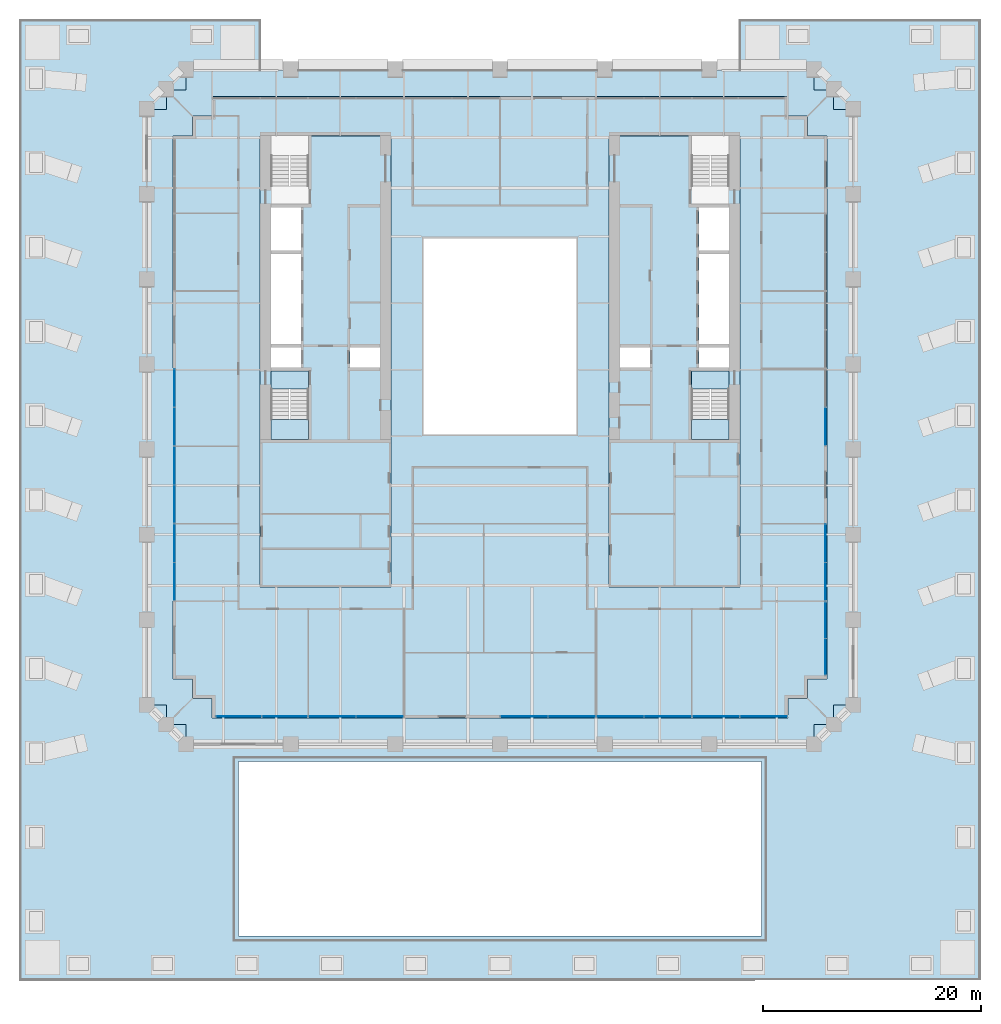
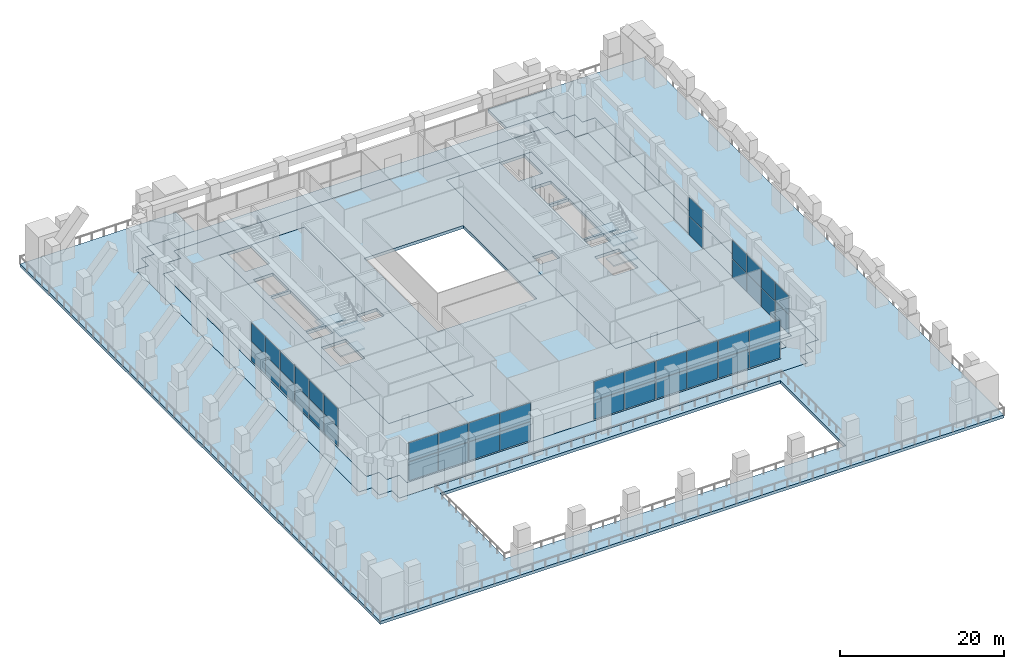
# One storey, part 10 of 20: 42 plates, 11 slabs, 13 elements without a shape of their own.
"""IFC4 building model written with IfcOpenShell, lengths in metres."""

from ifc_helpers import new_model, si_unit, direction, frame, origin, origin_2d, place, context, subcontext, project, spatial, polyline, rectangle, outline, extrude, material, layer, layer_set, type_object, element, aggregate, save


model = new_model("IFC4")

# Units and contexts
model_context = context("Model", 3, precision=1e-05, world=origin(), true_north=direction((0.0, 1.0)))
body_context = subcontext(model_context, "Body", "Model", "MODEL_VIEW")
ifc_project = project(units=[si_unit("LENGTHUNIT", "METRE"), si_unit("AREAUNIT", "SQUARE_METRE"), si_unit("VOLUMEUNIT", "CUBIC_METRE"), si_unit("PLANEANGLEUNIT", "RADIAN"), si_unit("MASSUNIT", "GRAM", prefix="KILO")], contexts=[model_context])

# Site, building, storey
site_placement = place(None, origin())
site = spatial("IfcSite", under=ifc_project, at=site_placement, CompositionType="ELEMENT")
building_placement = place(site_placement, origin())
building = spatial("IfcBuilding", under=site, at=building_placement, Name="Ogive Exchange Tower", CompositionType="ELEMENT")
storey_placement = place(building_placement, frame((0.0, 0.0, 33.60009765625)))
storey = spatial("IfcBuildingStorey", under=building, at=storey_placement, Name="L06", CompositionType="ELEMENT", Elevation=33.60009765625)

# Curtain wall, plates
ifc_material_1 = material(Name="Anodised aluminium and clear glass", Category="aluminium")
curtain_wall_type = type_object("IfcCurtainWallType", Name="Sky lobby glazing", PredefinedType="NOTDEFINED", material=ifc_material_1)
curtain_wall_1_placement = place(storey_placement, origin())
curtain_wall_1 = element("IfcCurtainWall", 1, at=curtain_wall_1_placement, inside=storey, type_object=curtain_wall_type, Name="Sky lobby glazing run G1", PredefinedType="NOTDEFINED")
ifc_material_2 = material(Name="Clear glass", Category="glass")
ifc_layer_1 = layer(ifc_material_2, 0.031982421875)
ifc_layer_set_1 = layer_set([ifc_layer_1], Name="Clear low-emissivity glass panel 32")
plate_type = type_object("IfcPlateType", Name="Clear low-emissivity glass panel 32", PredefinedType="CURTAIN_PANEL", material=ifc_layer_set_1)
plate_1_placement = place(storey_placement, frame((-23.95751953125, -27.85009765625, 0.06982421875), z_axis=(0.0, 0.0, 1.0), x_axis=(1.0, 0.0, 0.0)))
plate_1 = element("IfcPlate", 2, at=plate_1_placement, type_object=plate_type, Name="G1 panel 1.1", PredefinedType="CURTAIN_PANEL", context=body_context, shape_type="SweptSolid", body=[
    extrude(rectangle(XDim=4.14501953125, YDim=0.031982421875, at=origin_2d()), origin(), (0.0, 0.0, 1.0), 2.794921875),
])
plate_2_placement = place(storey_placement, frame((-23.95751953125, -27.85009765625, 2.93505859375), z_axis=(0.0, 0.0, 1.0), x_axis=(1.0, 0.0, 0.0)))
plate_2 = element("IfcPlate", 3, at=plate_2_placement, type_object=plate_type, Name="G1 panel 1.2", PredefinedType="CURTAIN_PANEL", context=body_context, shape_type="SweptSolid", body=[
    extrude(rectangle(XDim=4.14501953125, YDim=0.031982421875, at=origin_2d()), origin(), (0.0, 0.0, 1.0), 2.794921875),
])
plate_3_placement = place(storey_placement, frame((-19.742431640625, -27.85009765625, 0.06982421875), z_axis=(0.0, 0.0, 1.0), x_axis=(1.0, 0.0, 0.0)))
plate_3 = element("IfcPlate", 4, at=plate_3_placement, type_object=plate_type, Name="G1 panel 2.1", PredefinedType="CURTAIN_PANEL", context=body_context, shape_type="SweptSolid", body=[
    extrude(rectangle(XDim=4.14501953125, YDim=0.031982421875, at=origin_2d()), origin(), (0.0, 0.0, 1.0), 2.794921875),
])
plate_4_placement = place(storey_placement, frame((-19.742431640625, -27.85009765625, 2.93505859375), z_axis=(0.0, 0.0, 1.0), x_axis=(1.0, 0.0, 0.0)))
plate_4 = element("IfcPlate", 5, at=plate_4_placement, type_object=plate_type, Name="G1 panel 2.2", PredefinedType="CURTAIN_PANEL", context=body_context, shape_type="SweptSolid", body=[
    extrude(rectangle(XDim=4.14501953125, YDim=0.031982421875, at=origin_2d()), origin(), (0.0, 0.0, 1.0), 2.794921875),
])
aggregate(curtain_wall_1, [plate_1, plate_2, plate_3, plate_4])

curtain_wall_2_placement = place(storey_placement, origin())
curtain_wall_2 = element("IfcCurtainWall", 6, at=curtain_wall_2_placement, inside=storey, type_object=curtain_wall_type, Name="Sky lobby glazing run G2", PredefinedType="NOTDEFINED")
plate_5_placement = place(storey_placement, frame((-15.382568359375, -27.85009765625, 0.06982421875), z_axis=(0.0, 0.0, 1.0), x_axis=(1.0, 0.0, 0.0)))
plate_5 = element("IfcPlate", 7, at=plate_5_placement, type_object=plate_type, Name="G2 panel 1.1", PredefinedType="CURTAIN_PANEL", context=body_context, shape_type="SweptSolid", body=[
    extrude(rectangle(XDim=4.294921875, YDim=0.031982421875, at=origin_2d()), origin(), (0.0, 0.0, 1.0), 2.794921875),
])
plate_6_placement = place(storey_placement, frame((-15.382568359375, -27.85009765625, 2.93505859375), z_axis=(0.0, 0.0, 1.0), x_axis=(1.0, 0.0, 0.0)))
plate_6 = element("IfcPlate", 8, at=plate_6_placement, type_object=plate_type, Name="G2 panel 1.2", PredefinedType="CURTAIN_PANEL", context=body_context, shape_type="SweptSolid", body=[
    extrude(rectangle(XDim=4.294921875, YDim=0.031982421875, at=origin_2d()), origin(), (0.0, 0.0, 1.0), 2.794921875),
])
plate_7_placement = place(storey_placement, frame((-11.017578125, -27.85009765625, 0.06982421875), z_axis=(0.0, 0.0, 1.0), x_axis=(1.0, 0.0, 0.0)))
plate_7 = element("IfcPlate", 9, at=plate_7_placement, type_object=plate_type, Name="G2 panel 2.1", PredefinedType="CURTAIN_PANEL", context=body_context, shape_type="SweptSolid", body=[
    extrude(rectangle(XDim=4.294921875, YDim=0.031982421875, at=origin_2d()), origin(), (0.0, 0.0, 1.0), 2.794921875),
])
plate_8_placement = place(storey_placement, frame((-11.017578125, -27.85009765625, 2.93505859375), z_axis=(0.0, 0.0, 1.0), x_axis=(1.0, 0.0, 0.0)))
plate_8 = element("IfcPlate", 10, at=plate_8_placement, type_object=plate_type, Name="G2 panel 2.2", PredefinedType="CURTAIN_PANEL", context=body_context, shape_type="SweptSolid", body=[
    extrude(rectangle(XDim=4.294921875, YDim=0.031982421875, at=origin_2d()), origin(), (0.0, 0.0, 1.0), 2.794921875),
])
aggregate(curtain_wall_2, [plate_5, plate_6, plate_7, plate_8])

curtain_wall_3_placement = place(storey_placement, origin())
curtain_wall_3 = element("IfcCurtainWall", 11, at=curtain_wall_3_placement, inside=storey, type_object=curtain_wall_type, Name="Sky lobby glazing run G4", PredefinedType="NOTDEFINED")
plate_9_placement = place(storey_placement, frame((2.217529296875, -27.85009765625, 0.06982421875), z_axis=(0.0, 0.0, 1.0), x_axis=(1.0, 0.0, 0.0)))
plate_9 = element("IfcPlate", 12, at=plate_9_placement, type_object=plate_type, Name="G4 panel 1.1", PredefinedType="CURTAIN_PANEL", context=body_context, shape_type="SweptSolid", body=[
    extrude(rectangle(XDim=4.294921875, YDim=0.031982421875, at=origin_2d()), origin(), (0.0, 0.0, 1.0), 2.794921875),
])
plate_10_placement = place(storey_placement, frame((2.217529296875, -27.85009765625, 2.93505859375), z_axis=(0.0, 0.0, 1.0), x_axis=(1.0, 0.0, 0.0)))
plate_10 = element("IfcPlate", 13, at=plate_10_placement, type_object=plate_type, Name="G4 panel 1.2", PredefinedType="CURTAIN_PANEL", context=body_context, shape_type="SweptSolid", body=[
    extrude(rectangle(XDim=4.294921875, YDim=0.031982421875, at=origin_2d()), origin(), (0.0, 0.0, 1.0), 2.794921875),
])
plate_11_placement = place(storey_placement, frame((6.58251953125, -27.85009765625, 0.06982421875), z_axis=(0.0, 0.0, 1.0), x_axis=(1.0, 0.0, 0.0)))
plate_11 = element("IfcPlate", 14, at=plate_11_placement, type_object=plate_type, Name="G4 panel 2.1", PredefinedType="CURTAIN_PANEL", context=body_context, shape_type="SweptSolid", body=[
    extrude(rectangle(XDim=4.294921875, YDim=0.031982421875, at=origin_2d()), origin(), (0.0, 0.0, 1.0), 2.794921875),
])
plate_12_placement = place(storey_placement, frame((6.58251953125, -27.85009765625, 2.93505859375), z_axis=(0.0, 0.0, 1.0), x_axis=(1.0, 0.0, 0.0)))
plate_12 = element("IfcPlate", 15, at=plate_12_placement, type_object=plate_type, Name="G4 panel 2.2", PredefinedType="CURTAIN_PANEL", context=body_context, shape_type="SweptSolid", body=[
    extrude(rectangle(XDim=4.294921875, YDim=0.031982421875, at=origin_2d()), origin(), (0.0, 0.0, 1.0), 2.794921875),
])
aggregate(curtain_wall_3, [plate_9, plate_10, plate_11, plate_12])

curtain_wall_4_placement = place(storey_placement, origin())
curtain_wall_4 = element("IfcCurtainWall", 16, at=curtain_wall_4_placement, inside=storey, type_object=curtain_wall_type, Name="Sky lobby glazing run G5", PredefinedType="NOTDEFINED")
plate_13_placement = place(storey_placement, frame((11.017578125, -27.85009765625, 0.06982421875), z_axis=(0.0, 0.0, 1.0), x_axis=(1.0, 0.0, 0.0)))
plate_13 = element("IfcPlate", 17, at=plate_13_placement, type_object=plate_type, Name="G5 panel 1.1", PredefinedType="CURTAIN_PANEL", context=body_context, shape_type="SweptSolid", body=[
    extrude(rectangle(XDim=4.294921875, YDim=0.031982421875, at=origin_2d()), origin(), (0.0, 0.0, 1.0), 2.794921875),
])
plate_14_placement = place(storey_placement, frame((11.017578125, -27.85009765625, 2.93505859375), z_axis=(0.0, 0.0, 1.0), x_axis=(1.0, 0.0, 0.0)))
plate_14 = element("IfcPlate", 18, at=plate_14_placement, type_object=plate_type, Name="G5 panel 1.2", PredefinedType="CURTAIN_PANEL", context=body_context, shape_type="SweptSolid", body=[
    extrude(rectangle(XDim=4.294921875, YDim=0.031982421875, at=origin_2d()), origin(), (0.0, 0.0, 1.0), 2.794921875),
])
plate_15_placement = place(storey_placement, frame((15.382568359375, -27.85009765625, 0.06982421875), z_axis=(0.0, 0.0, 1.0), x_axis=(1.0, 0.0, 0.0)))
plate_15 = element("IfcPlate", 19, at=plate_15_placement, type_object=plate_type, Name="G5 panel 2.1", PredefinedType="CURTAIN_PANEL", context=body_context, shape_type="SweptSolid", body=[
    extrude(rectangle(XDim=4.294921875, YDim=0.031982421875, at=origin_2d()), origin(), (0.0, 0.0, 1.0), 2.794921875),
])
plate_16_placement = place(storey_placement, frame((15.382568359375, -27.85009765625, 2.93505859375), z_axis=(0.0, 0.0, 1.0), x_axis=(1.0, 0.0, 0.0)))
plate_16 = element("IfcPlate", 20, at=plate_16_placement, type_object=plate_type, Name="G5 panel 2.2", PredefinedType="CURTAIN_PANEL", context=body_context, shape_type="SweptSolid", body=[
    extrude(rectangle(XDim=4.294921875, YDim=0.031982421875, at=origin_2d()), origin(), (0.0, 0.0, 1.0), 2.794921875),
])
aggregate(curtain_wall_4, [plate_13, plate_14, plate_15, plate_16])

curtain_wall_5_placement = place(storey_placement, origin())
curtain_wall_5 = element("IfcCurtainWall", 21, at=curtain_wall_5_placement, inside=storey, type_object=curtain_wall_type, Name="Sky lobby glazing run G6", PredefinedType="NOTDEFINED")
plate_17_placement = place(storey_placement, frame((19.8173828125, -27.85009765625, 0.06982421875), z_axis=(0.0, 0.0, 1.0), x_axis=(1.0, 0.0, 0.0)))
plate_17 = element("IfcPlate", 22, at=plate_17_placement, type_object=plate_type, Name="G6 panel 1.1", PredefinedType="CURTAIN_PANEL", context=body_context, shape_type="SweptSolid", body=[
    extrude(rectangle(XDim=4.294921875, YDim=0.031982421875, at=origin_2d()), origin(), (0.0, 0.0, 1.0), 2.794921875),
])
plate_18_placement = place(storey_placement, frame((19.8173828125, -27.85009765625, 2.93505859375), z_axis=(0.0, 0.0, 1.0), x_axis=(1.0, 0.0, 0.0)))
plate_18 = element("IfcPlate", 23, at=plate_18_placement, type_object=plate_type, Name="G6 panel 1.2", PredefinedType="CURTAIN_PANEL", context=body_context, shape_type="SweptSolid", body=[
    extrude(rectangle(XDim=4.294921875, YDim=0.031982421875, at=origin_2d()), origin(), (0.0, 0.0, 1.0), 2.794921875),
])
plate_19_placement = place(storey_placement, frame((24.1826171875, -27.85009765625, 0.06982421875), z_axis=(0.0, 0.0, 1.0), x_axis=(1.0, 0.0, 0.0)))
plate_19 = element("IfcPlate", 24, at=plate_19_placement, type_object=plate_type, Name="G6 panel 2.1", PredefinedType="CURTAIN_PANEL", context=body_context, shape_type="SweptSolid", body=[
    extrude(rectangle(XDim=4.294921875, YDim=0.031982421875, at=origin_2d()), origin(), (0.0, 0.0, 1.0), 2.794921875),
])
plate_20_placement = place(storey_placement, frame((24.1826171875, -27.85009765625, 2.93505859375), z_axis=(0.0, 0.0, 1.0), x_axis=(1.0, 0.0, 0.0)))
plate_20 = element("IfcPlate", 25, at=plate_20_placement, type_object=plate_type, Name="G6 panel 2.2", PredefinedType="CURTAIN_PANEL", context=body_context, shape_type="SweptSolid", body=[
    extrude(rectangle(XDim=4.294921875, YDim=0.031982421875, at=origin_2d()), origin(), (0.0, 0.0, 1.0), 2.794921875),
])
aggregate(curtain_wall_5, [plate_17, plate_18, plate_19, plate_20])

curtain_wall_6_placement = place(storey_placement, origin())
curtain_wall_6 = element("IfcCurtainWall", 26, at=curtain_wall_6_placement, inside=storey, type_object=curtain_wall_type, Name="Sky lobby glazing run G7", PredefinedType="NOTDEFINED")
plate_21_placement = place(storey_placement, frame((29.85009765625, -22.37890625, 0.06982421875), z_axis=(0.0, 0.0, 1.0), x_axis=(0.0, 1.0, 0.0)))
plate_21 = element("IfcPlate", 27, at=plate_21_placement, type_object=plate_type, Name="G7 panel 1.1", PredefinedType="CURTAIN_PANEL", context=body_context, shape_type="SweptSolid", body=[
    extrude(rectangle(XDim=3.30224609375, YDim=0.031982421875, at=origin_2d()), origin(), (0.0, 0.0, 1.0), 2.794921875),
])
plate_22_placement = place(storey_placement, frame((29.85009765625, -22.37890625, 2.93505859375), z_axis=(0.0, 0.0, 1.0), x_axis=(0.0, 1.0, 0.0)))
plate_22 = element("IfcPlate", 28, at=plate_22_placement, type_object=plate_type, Name="G7 panel 1.2", PredefinedType="CURTAIN_PANEL", context=body_context, shape_type="SweptSolid", body=[
    extrude(rectangle(XDim=3.30224609375, YDim=0.031982421875, at=origin_2d()), origin(), (0.0, 0.0, 1.0), 2.794921875),
])
plate_23_placement = place(storey_placement, frame((29.85009765625, -19.0068359375, 0.06982421875), z_axis=(0.0, 0.0, 1.0), x_axis=(0.0, 1.0, 0.0)))
plate_23 = element("IfcPlate", 29, at=plate_23_placement, type_object=plate_type, Name="G7 panel 2.1", PredefinedType="CURTAIN_PANEL", context=body_context, shape_type="SweptSolid", body=[
    extrude(rectangle(XDim=3.30224609375, YDim=0.031982421875, at=origin_2d()), origin(), (0.0, 0.0, 1.0), 2.794921875),
])
plate_24_placement = place(storey_placement, frame((29.85009765625, -19.0068359375, 2.93505859375), z_axis=(0.0, 0.0, 1.0), x_axis=(0.0, 1.0, 0.0)))
plate_24 = element("IfcPlate", 30, at=plate_24_placement, type_object=plate_type, Name="G7 panel 2.2", PredefinedType="CURTAIN_PANEL", context=body_context, shape_type="SweptSolid", body=[
    extrude(rectangle(XDim=3.30224609375, YDim=0.031982421875, at=origin_2d()), origin(), (0.0, 0.0, 1.0), 2.794921875),
])
aggregate(curtain_wall_6, [plate_21, plate_22, plate_23, plate_24])

curtain_wall_7_placement = place(storey_placement, origin())
curtain_wall_7 = element("IfcCurtainWall", 31, at=curtain_wall_7_placement, inside=storey, type_object=curtain_wall_type, Name="Sky lobby glazing run G8", PredefinedType="NOTDEFINED")
plate_25_placement = place(storey_placement, frame((29.85009765625, -15.48974609375, 0.06982421875), z_axis=(0.0, 0.0, 1.0), x_axis=(0.0, 1.0, 0.0)))
plate_25 = element("IfcPlate", 32, at=plate_25_placement, type_object=plate_type, Name="G8 panel 1.1", PredefinedType="CURTAIN_PANEL", context=body_context, shape_type="SweptSolid", body=[
    extrude(rectangle(XDim=3.4521484375, YDim=0.031982421875, at=origin_2d()), origin(), (0.0, 0.0, 1.0), 2.794921875),
])
plate_26_placement = place(storey_placement, frame((29.85009765625, -15.48974609375, 2.93505859375), z_axis=(0.0, 0.0, 1.0), x_axis=(0.0, 1.0, 0.0)))
plate_26 = element("IfcPlate", 33, at=plate_26_placement, type_object=plate_type, Name="G8 panel 1.2", PredefinedType="CURTAIN_PANEL", context=body_context, shape_type="SweptSolid", body=[
    extrude(rectangle(XDim=3.4521484375, YDim=0.031982421875, at=origin_2d()), origin(), (0.0, 0.0, 1.0), 2.794921875),
])
plate_27_placement = place(storey_placement, frame((29.85009765625, -11.967529296875, 0.06982421875), z_axis=(0.0, 0.0, 1.0), x_axis=(0.0, 1.0, 0.0)))
plate_27 = element("IfcPlate", 34, at=plate_27_placement, type_object=plate_type, Name="G8 panel 2.1", PredefinedType="CURTAIN_PANEL", context=body_context, shape_type="SweptSolid", body=[
    extrude(rectangle(XDim=3.4521484375, YDim=0.031982421875, at=origin_2d()), origin(), (0.0, 0.0, 1.0), 2.794921875),
])
plate_28_placement = place(storey_placement, frame((29.85009765625, -11.967529296875, 2.93505859375), z_axis=(0.0, 0.0, 1.0), x_axis=(0.0, 1.0, 0.0)))
plate_28 = element("IfcPlate", 35, at=plate_28_placement, type_object=plate_type, Name="G8 panel 2.2", PredefinedType="CURTAIN_PANEL", context=body_context, shape_type="SweptSolid", body=[
    extrude(rectangle(XDim=3.4521484375, YDim=0.031982421875, at=origin_2d()), origin(), (0.0, 0.0, 1.0), 2.794921875),
])
aggregate(curtain_wall_7, [plate_25, plate_26, plate_27, plate_28])

curtain_wall_8_placement = place(storey_placement, origin())
curtain_wall_8 = element("IfcCurtainWall", 36, at=curtain_wall_8_placement, inside=storey, type_object=curtain_wall_type, Name="Sky lobby glazing run G10", PredefinedType="NOTDEFINED")
plate_29_placement = place(storey_placement, frame((29.85009765625, -1.260986328125, 0.06982421875), z_axis=(0.0, 0.0, 1.0), x_axis=(0.0, 1.0, 0.0)))
plate_29 = element("IfcPlate", 37, at=plate_29_placement, type_object=plate_type, Name="G10 panel 1.1", PredefinedType="CURTAIN_PANEL", context=body_context, shape_type="SweptSolid", body=[
    extrude(rectangle(XDim=3.4521484375, YDim=0.031982421875, at=origin_2d()), origin(), (0.0, 0.0, 1.0), 2.794921875),
])
plate_30_placement = place(storey_placement, frame((29.85009765625, -1.260986328125, 2.93505859375), z_axis=(0.0, 0.0, 1.0), x_axis=(0.0, 1.0, 0.0)))
plate_30 = element("IfcPlate", 38, at=plate_30_placement, type_object=plate_type, Name="G10 panel 1.2", PredefinedType="CURTAIN_PANEL", context=body_context, shape_type="SweptSolid", body=[
    extrude(rectangle(XDim=3.4521484375, YDim=0.031982421875, at=origin_2d()), origin(), (0.0, 0.0, 1.0), 2.794921875),
])
aggregate(curtain_wall_8, [plate_29, plate_30])

curtain_wall_9_placement = place(storey_placement, origin())
curtain_wall_9 = element("IfcCurtainWall", 39, at=curtain_wall_9_placement, inside=storey, type_object=curtain_wall_type, Name="Sky lobby glazing run G23", PredefinedType="NOTDEFINED")
plate_31_placement = place(storey_placement, frame((-29.85009765625, 2.260986328125, 0.06982421875), z_axis=(0.0, 0.0, 1.0), x_axis=(0.0, -1.0, 0.0)))
plate_31 = element("IfcPlate", 40, at=plate_31_placement, type_object=plate_type, Name="G23 panel 1.1", PredefinedType="CURTAIN_PANEL", context=body_context, shape_type="SweptSolid", body=[
    extrude(rectangle(XDim=3.4521484375, YDim=0.031982421875, at=origin_2d()), origin(), (0.0, 0.0, 1.0), 2.794921875),
])
plate_32_placement = place(storey_placement, frame((-29.85009765625, 2.260986328125, 2.93505859375), z_axis=(0.0, 0.0, 1.0), x_axis=(0.0, -1.0, 0.0)))
plate_32 = element("IfcPlate", 41, at=plate_32_placement, type_object=plate_type, Name="G23 panel 1.2", PredefinedType="CURTAIN_PANEL", context=body_context, shape_type="SweptSolid", body=[
    extrude(rectangle(XDim=3.4521484375, YDim=0.031982421875, at=origin_2d()), origin(), (0.0, 0.0, 1.0), 2.794921875),
])
plate_33_placement = place(storey_placement, frame((-29.85009765625, -1.260986328125, 0.06982421875), z_axis=(0.0, 0.0, 1.0), x_axis=(0.0, -1.0, 0.0)))
plate_33 = element("IfcPlate", 42, at=plate_33_placement, type_object=plate_type, Name="G23 panel 2.1", PredefinedType="CURTAIN_PANEL", context=body_context, shape_type="SweptSolid", body=[
    extrude(rectangle(XDim=3.4521484375, YDim=0.031982421875, at=origin_2d()), origin(), (0.0, 0.0, 1.0), 2.794921875),
])
plate_34_placement = place(storey_placement, frame((-29.85009765625, -1.260986328125, 2.93505859375), z_axis=(0.0, 0.0, 1.0), x_axis=(0.0, -1.0, 0.0)))
plate_34 = element("IfcPlate", 43, at=plate_34_placement, type_object=plate_type, Name="G23 panel 2.2", PredefinedType="CURTAIN_PANEL", context=body_context, shape_type="SweptSolid", body=[
    extrude(rectangle(XDim=3.4521484375, YDim=0.031982421875, at=origin_2d()), origin(), (0.0, 0.0, 1.0), 2.794921875),
])
aggregate(curtain_wall_9, [plate_31, plate_32, plate_33, plate_34])

curtain_wall_10_placement = place(storey_placement, origin())
curtain_wall_10 = element("IfcCurtainWall", 44, at=curtain_wall_10_placement, inside=storey, type_object=curtain_wall_type, Name="Sky lobby glazing run G24", PredefinedType="NOTDEFINED")
plate_35_placement = place(storey_placement, frame((-29.85009765625, -4.853271484375, 0.06982421875), z_axis=(0.0, 0.0, 1.0), x_axis=(0.0, -1.0, 0.0)))
plate_35 = element("IfcPlate", 45, at=plate_35_placement, type_object=plate_type, Name="G24 panel 1.1", PredefinedType="CURTAIN_PANEL", context=body_context, shape_type="SweptSolid", body=[
    extrude(rectangle(XDim=3.4521484375, YDim=0.031982421875, at=origin_2d()), origin(), (0.0, 0.0, 1.0), 2.794921875),
])
plate_36_placement = place(storey_placement, frame((-29.85009765625, -4.853271484375, 2.93505859375), z_axis=(0.0, 0.0, 1.0), x_axis=(0.0, -1.0, 0.0)))
plate_36 = element("IfcPlate", 46, at=plate_36_placement, type_object=plate_type, Name="G24 panel 1.2", PredefinedType="CURTAIN_PANEL", context=body_context, shape_type="SweptSolid", body=[
    extrude(rectangle(XDim=3.4521484375, YDim=0.031982421875, at=origin_2d()), origin(), (0.0, 0.0, 1.0), 2.794921875),
])
plate_37_placement = place(storey_placement, frame((-29.85009765625, -8.375244140625, 0.06982421875), z_axis=(0.0, 0.0, 1.0), x_axis=(0.0, -1.0, 0.0)))
plate_37 = element("IfcPlate", 47, at=plate_37_placement, type_object=plate_type, Name="G24 panel 2.1", PredefinedType="CURTAIN_PANEL", context=body_context, shape_type="SweptSolid", body=[
    extrude(rectangle(XDim=3.4521484375, YDim=0.031982421875, at=origin_2d()), origin(), (0.0, 0.0, 1.0), 2.794921875),
])
plate_38_placement = place(storey_placement, frame((-29.85009765625, -8.375244140625, 2.93505859375), z_axis=(0.0, 0.0, 1.0), x_axis=(0.0, -1.0, 0.0)))
plate_38 = element("IfcPlate", 48, at=plate_38_placement, type_object=plate_type, Name="G24 panel 2.2", PredefinedType="CURTAIN_PANEL", context=body_context, shape_type="SweptSolid", body=[
    extrude(rectangle(XDim=3.4521484375, YDim=0.031982421875, at=origin_2d()), origin(), (0.0, 0.0, 1.0), 2.794921875),
])
aggregate(curtain_wall_10, [plate_35, plate_36, plate_37, plate_38])

curtain_wall_11_placement = place(storey_placement, origin())
curtain_wall_11 = element("IfcCurtainWall", 49, at=curtain_wall_11_placement, inside=storey, type_object=curtain_wall_type, Name="Sky lobby glazing run G25", PredefinedType="NOTDEFINED")
plate_39_placement = place(storey_placement, frame((-29.85009765625, -11.967529296875, 0.06982421875), z_axis=(0.0, 0.0, 1.0), x_axis=(0.0, -1.0, 0.0)))
plate_39 = element("IfcPlate", 50, at=plate_39_placement, type_object=plate_type, Name="G25 panel 1.1", PredefinedType="CURTAIN_PANEL", context=body_context, shape_type="SweptSolid", body=[
    extrude(rectangle(XDim=3.4521484375, YDim=0.031982421875, at=origin_2d()), origin(), (0.0, 0.0, 1.0), 2.794921875),
])
plate_40_placement = place(storey_placement, frame((-29.85009765625, -11.967529296875, 2.93505859375), z_axis=(0.0, 0.0, 1.0), x_axis=(0.0, -1.0, 0.0)))
plate_40 = element("IfcPlate", 51, at=plate_40_placement, type_object=plate_type, Name="G25 panel 1.2", PredefinedType="CURTAIN_PANEL", context=body_context, shape_type="SweptSolid", body=[
    extrude(rectangle(XDim=3.4521484375, YDim=0.031982421875, at=origin_2d()), origin(), (0.0, 0.0, 1.0), 2.794921875),
])
plate_41_placement = place(storey_placement, frame((-29.85009765625, -15.48974609375, 0.06982421875), z_axis=(0.0, 0.0, 1.0), x_axis=(0.0, -1.0, 0.0)))
plate_41 = element("IfcPlate", 52, at=plate_41_placement, type_object=plate_type, Name="G25 panel 2.1", PredefinedType="CURTAIN_PANEL", context=body_context, shape_type="SweptSolid", body=[
    extrude(rectangle(XDim=3.4521484375, YDim=0.031982421875, at=origin_2d()), origin(), (0.0, 0.0, 1.0), 2.794921875),
])
plate_42_placement = place(storey_placement, frame((-29.85009765625, -15.48974609375, 2.93505859375), z_axis=(0.0, 0.0, 1.0), x_axis=(0.0, -1.0, 0.0)))
plate_42 = element("IfcPlate", 53, at=plate_42_placement, type_object=plate_type, Name="G25 panel 2.2", PredefinedType="CURTAIN_PANEL", context=body_context, shape_type="SweptSolid", body=[
    extrude(rectangle(XDim=3.4521484375, YDim=0.031982421875, at=origin_2d()), origin(), (0.0, 0.0, 1.0), 2.794921875),
])
aggregate(curtain_wall_11, [plate_39, plate_40, plate_41, plate_42])

# Slabs
ifc_material_3 = material(Name="Concrete C70/85", Category="concrete")
ifc_layer_2 = layer(ifc_material_3, 0.449951171875)
ifc_layer_set_2 = layer_set([ifc_layer_2], Name="Core floor slab 450")
slab_type_1 = type_object("IfcSlabType", Name="Core floor slab 450", PredefinedType="FLOOR", material=ifc_layer_set_2)
slab_1_placement = place(storey_placement, frame((0.0, 0.0, -0.4501953125)))
element("IfcSlab", 54, at=slab_1_placement, inside=storey, type_object=slab_type_1, Name="Core floor slab", PredefinedType="FLOOR", context=body_context, shape_type="SweptSolid", body=[
    extrude(outline(polyline([(-10.0, 25.39990234375), (-10.0, -16.0), (-22.0, -16.0), (-22.0, 25.39990234375), (-21.0, 25.39990234375), (-21.0, 20.803955078125), (-17.550048828125, 20.803955078125), (-17.550048828125, 25.39990234375), (-10.0, 25.39990234375)]), holes=[polyline([(-17.550048828125, 2.196044921875), (-21.0, 2.196044921875), (-21.0, -2.449951171875), (-17.550048828125, -2.449951171875), (-17.550048828125, 2.196044921875)]), polyline([(-18.25, 5.992919921875), (-21.0, 5.992919921875), (-21.0, 4.14990234375), (-18.25, 4.14990234375), (-18.25, 5.992919921875)]), polyline([(-11.0, 5.992919921875), (-13.75, 5.992919921875), (-13.75, 4.14990234375), (-11.0, 4.14990234375), (-11.0, 5.992919921875)]), polyline([(-21.0, 14.564208984375), (-21.0, 6.29296875), (-18.25, 6.29296875), (-18.25, 14.564208984375), (-21.0, 14.564208984375)]), polyline([(-18.25, 18.85009765625), (-21.0, 18.85009765625), (-21.0, 14.8642578125), (-18.25, 14.8642578125), (-18.25, 18.85009765625)])]), origin(), (0.0, 0.0, 1.0), 0.4501953125),
])
slab_2_placement = place(storey_placement, frame((0.0, 0.0, -0.4501953125)))
element("IfcSlab", 55, at=slab_2_placement, inside=storey, type_object=slab_type_1, Name="Core floor slab", PredefinedType="FLOOR", context=body_context, shape_type="SweptSolid", body=[
    extrude(outline(polyline([(22.0, 25.39990234375), (22.0, -16.0), (10.0, -16.0), (10.0, 25.39990234375), (17.550048828125, 25.39990234375), (17.550048828125, 20.803955078125), (21.0, 20.803955078125), (21.0, 25.39990234375), (22.0, 25.39990234375)]), holes=[polyline([(21.0, 2.196044921875), (17.550048828125, 2.196044921875), (17.550048828125, -2.449951171875), (21.0, -2.449951171875), (21.0, 2.196044921875)]), polyline([(13.75, 5.992919921875), (11.0, 5.992919921875), (11.0, 4.14990234375), (13.75, 4.14990234375), (13.75, 5.992919921875)]), polyline([(21.0, 5.992919921875), (18.25, 5.992919921875), (18.25, 4.14990234375), (21.0, 4.14990234375), (21.0, 5.992919921875)]), polyline([(18.25, 14.564208984375), (18.25, 6.29296875), (21.0, 6.29296875), (21.0, 14.564208984375), (18.25, 14.564208984375)]), polyline([(21.0, 18.85009765625), (18.25, 18.85009765625), (18.25, 14.8642578125), (21.0, 14.8642578125), (21.0, 18.85009765625)])]), origin(), (0.0, 0.0, 1.0), 0.4501953125),
])
ifc_material_4 = material(Name="Concrete C50/60", Category="concrete")
ifc_layer_3 = layer(ifc_material_4, 0.449951171875)
ifc_layer_set_3 = layer_set([ifc_layer_3], Name="Loggia deck 450")
slab_type_2 = type_object("IfcSlabType", Name="Loggia deck 450", PredefinedType="FLOOR", material=ifc_layer_set_3)
slab_3_placement = place(storey_placement, frame((0.0, 0.0, -0.4501953125)))
element("IfcSlab", 56, at=slab_3_placement, inside=storey, type_object=slab_type_2, Name="Loggia deck", PredefinedType="FLOOR", context=body_context, shape_type="SweptSolid", body=[
    extrude(outline(polyline([(-30.60009765625, -28.60009765625), (-30.60009765625, -26.800048828125), (-32.39990234375, -26.800048828125), (-32.39990234375, 27.800048828125), (-30.60009765625, 27.800048828125), (-30.60009765625, 29.60009765625), (-28.800048828125, 29.60009765625), (-28.800048828125, 31.39990234375), (28.800048828125, 31.39990234375), (28.800048828125, 29.60009765625), (30.60009765625, 29.60009765625), (30.60009765625, 27.800048828125), (32.39990234375, 27.800048828125), (32.39990234375, -26.800048828125), (30.60009765625, -26.800048828125), (30.60009765625, -28.60009765625), (28.800048828125, -28.60009765625), (28.800048828125, -30.39990234375), (-28.800048828125, -30.39990234375), (-28.800048828125, -28.60009765625), (-30.60009765625, -28.60009765625)]), holes=[polyline([(26.39990234375, -26.199951171875), (28.199951171875, -26.199951171875), (28.199951171875, -24.39990234375), (30.0, -24.39990234375), (30.0, 25.39990234375), (28.199951171875, 25.39990234375), (28.199951171875, 27.199951171875), (26.39990234375, 27.199951171875), (26.39990234375, 29.0), (-26.39990234375, 29.0), (-26.39990234375, 27.199951171875), (-28.199951171875, 27.199951171875), (-28.199951171875, 25.39990234375), (-30.0, 25.39990234375), (-30.0, -24.39990234375), (-28.199951171875, -24.39990234375), (-28.199951171875, -26.199951171875), (-26.39990234375, -26.199951171875), (-26.39990234375, -28.0), (26.39990234375, -28.0), (26.39990234375, -26.199951171875)])]), origin(), (0.0, 0.0, 1.0), 0.4501953125),
])

# Stair, slabs
ifc_material_5 = material(Name="Concrete C40/50", Category="concrete")
stair_type = type_object("IfcStairType", Name="Exit stair 1650 wide", PredefinedType="HALF_TURN_STAIR", material=ifc_material_5)
stair_1_placement = place(storey_placement, origin())
stair_1 = element("IfcStair", 57, at=stair_1_placement, inside=storey, type_object=stair_type, Name="L06 exit stair ST1", PredefinedType="HALF_TURN_STAIR")
ifc_layer_4 = layer(ifc_material_5, 0.199951171875)
ifc_layer_set_4 = layer_set([ifc_layer_4], Name="Stair landing 200 slab")
slab_type_3 = type_object("IfcSlabType", Name="Stair landing 200 slab", PredefinedType="LANDING", material=ifc_layer_set_4)
slab_4_placement = place(storey_placement, frame((0.0, 0.0, 1.2998046875)))
slab_4 = element("IfcSlab", 58, at=slab_4_placement, type_object=slab_type_3, Name="ST1 landing 1", PredefinedType="LANDING", context=body_context, shape_type="SweptSolid", body=[
    extrude(outline(polyline([(-21.0, -0.60791015625), (-21.0, -2.449951171875), (-17.550048828125, -2.449951171875), (-17.550048828125, -0.60791015625), (-21.0, -0.60791015625)])), origin(), (0.0, 0.0, 1.0), 0.2001953125),
])
slab_5_placement = place(storey_placement, frame((0.0, 0.0, 2.7998046875)))
slab_5 = element("IfcSlab", 59, at=slab_5_placement, type_object=slab_type_3, Name="ST1 landing 2", PredefinedType="LANDING", context=body_context, shape_type="SweptSolid", body=[
    extrude(outline(polyline([(-21.0, 3.85009765625), (-21.0, 2.199951171875), (-17.550048828125, 2.199951171875), (-17.550048828125, 3.85009765625), (-21.0, 3.85009765625)])), origin(), (0.0, 0.0, 1.0), 0.2001953125),
])
slab_6_placement = place(storey_placement, frame((0.0, 0.0, 4.2998046875)))
slab_6 = element("IfcSlab", 60, at=slab_6_placement, type_object=slab_type_3, Name="ST1 landing 3", PredefinedType="LANDING", context=body_context, shape_type="SweptSolid", body=[
    extrude(outline(polyline([(-21.0, -0.60791015625), (-21.0, -2.449951171875), (-17.550048828125, -2.449951171875), (-17.550048828125, -0.60791015625), (-21.0, -0.60791015625)])), origin(), (0.0, 0.0, 1.0), 0.2001953125),
])
aggregate(stair_1, [slab_4, slab_5, slab_6])

stair_2_placement = place(storey_placement, origin())
stair_2 = element("IfcStair", 61, at=stair_2_placement, inside=storey, type_object=stair_type, Name="L06 exit stair ST3", PredefinedType="HALF_TURN_STAIR")
slab_7_placement = place(storey_placement, frame((0.0, 0.0, 1.2998046875)))
slab_7 = element("IfcSlab", 62, at=slab_7_placement, type_object=slab_type_3, Name="ST3 landing 1", PredefinedType="LANDING", context=body_context, shape_type="SweptSolid", body=[
    extrude(outline(polyline([(17.550048828125, -0.60791015625), (17.550048828125, -2.449951171875), (21.0, -2.449951171875), (21.0, -0.60791015625), (17.550048828125, -0.60791015625)])), origin(), (0.0, 0.0, 1.0), 0.2001953125),
])
slab_8_placement = place(storey_placement, frame((0.0, 0.0, 2.7998046875)))
slab_8 = element("IfcSlab", 63, at=slab_8_placement, type_object=slab_type_3, Name="ST3 landing 2", PredefinedType="LANDING", context=body_context, shape_type="SweptSolid", body=[
    extrude(outline(polyline([(17.550048828125, 3.85009765625), (17.550048828125, 2.199951171875), (21.0, 2.199951171875), (21.0, 3.85009765625), (17.550048828125, 3.85009765625)])), origin(), (0.0, 0.0, 1.0), 0.2001953125),
])
slab_9_placement = place(storey_placement, frame((0.0, 0.0, 4.2998046875)))
slab_9 = element("IfcSlab", 64, at=slab_9_placement, type_object=slab_type_3, Name="ST3 landing 3", PredefinedType="LANDING", context=body_context, shape_type="SweptSolid", body=[
    extrude(outline(polyline([(17.550048828125, -0.60791015625), (17.550048828125, -2.449951171875), (21.0, -2.449951171875), (21.0, -0.60791015625), (17.550048828125, -0.60791015625)])), origin(), (0.0, 0.0, 1.0), 0.2001953125),
])
aggregate(stair_2, [slab_7, slab_8, slab_9])

# Slabs
ifc_layer_5 = layer(ifc_material_4, 0.449951171875)
ifc_layer_set_5 = layer_set([ifc_layer_5], Name="Terrace deck 450")
slab_type_4 = type_object("IfcSlabType", Name="Terrace deck 450", PredefinedType="FLOOR", material=ifc_layer_set_5)
slab_10_placement = place(storey_placement, frame((0.0, 0.0, -0.4501953125)))
element("IfcSlab", 65, at=slab_10_placement, inside=storey, type_object=slab_type_4, Name="Terrace deck", PredefinedType="FLOOR", context=body_context, shape_type="SweptSolid", body=[
    extrude(outline(polyline([(-44.0, 36.0), (-22.0, 36.0), (-22.0, 31.39990234375), (-28.800048828125, 31.39990234375), (-28.800048828125, 29.60009765625), (-30.60009765625, 29.60009765625), (-30.60009765625, 27.800048828125), (-32.39990234375, 27.800048828125), (-32.39990234375, -26.800048828125), (-30.60009765625, -26.800048828125), (-30.60009765625, -28.60009765625), (-28.800048828125, -28.60009765625), (-28.800048828125, -30.39990234375), (28.800048828125, -30.39990234375), (28.800048828125, -28.60009765625), (30.60009765625, -28.60009765625), (30.60009765625, -26.800048828125), (32.39990234375, -26.800048828125), (32.39990234375, 27.800048828125), (30.60009765625, 27.800048828125), (30.60009765625, 29.60009765625), (28.800048828125, 29.60009765625), (28.800048828125, 31.39990234375), (22.0, 31.39990234375), (22.0, 36.0), (44.0, 36.0), (44.0, -52.0), (-44.0, -52.0), (-44.0, 36.0)]), holes=[polyline([(-24.0, -32.0), (-24.0, -48.0), (24.0, -48.0), (24.0, -32.0), (-24.0, -32.0)])]), origin(), (0.0, 0.0, 1.0), 0.4501953125),
])
ifc_layer_6 = layer(ifc_material_4, 0.449951171875)
ifc_layer_set_6 = layer_set([ifc_layer_6], Name="Transfer floor slab 450")
slab_type_5 = type_object("IfcSlabType", Name="Transfer floor slab 450", PredefinedType="FLOOR", material=ifc_layer_set_6)
slab_11_placement = place(storey_placement, frame((0.0, 0.0, -0.4501953125)))
element("IfcSlab", 66, at=slab_11_placement, inside=storey, type_object=slab_type_5, Name="Transfer floor slab", PredefinedType="FLOOR", context=body_context, shape_type="SweptSolid", body=[
    extrude(outline(polyline([(-26.39990234375, -26.199951171875), (-28.199951171875, -26.199951171875), (-28.199951171875, -24.39990234375), (-30.0, -24.39990234375), (-30.0, 25.39990234375), (-28.199951171875, 25.39990234375), (-28.199951171875, 27.199951171875), (-26.39990234375, 27.199951171875), (-26.39990234375, 29.0), (26.39990234375, 29.0), (26.39990234375, 27.199951171875), (28.199951171875, 27.199951171875), (28.199951171875, 25.39990234375), (30.0, 25.39990234375), (30.0, -24.39990234375), (28.199951171875, -24.39990234375), (28.199951171875, -26.199951171875), (26.39990234375, -26.199951171875), (26.39990234375, -28.0), (-26.39990234375, -28.0), (-26.39990234375, -26.199951171875)]), holes=[polyline([(-10.0, -16.0), (-10.0, 25.39990234375), (-22.0, 25.39990234375), (-22.0, -16.0), (-10.0, -16.0)]), polyline([(10.0, -16.0), (22.0, -16.0), (22.0, 25.39990234375), (10.0, 25.39990234375), (10.0, -16.0)]), polyline([(-7.0, -2.0), (7.0, -2.0), (7.0, 16.0), (-7.0, 16.0), (-7.0, -2.0)])]), origin(), (0.0, 0.0, 1.0), 0.4501953125),
])

save(model, "model.ifc")
